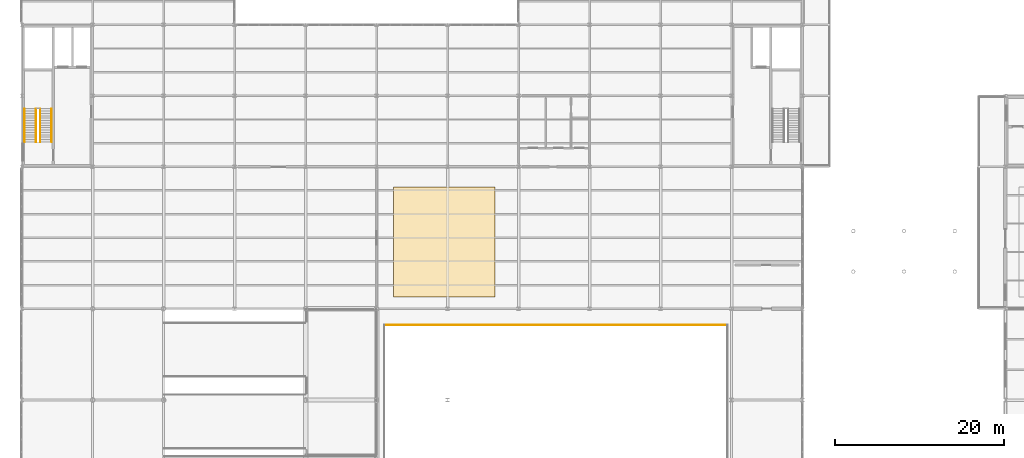
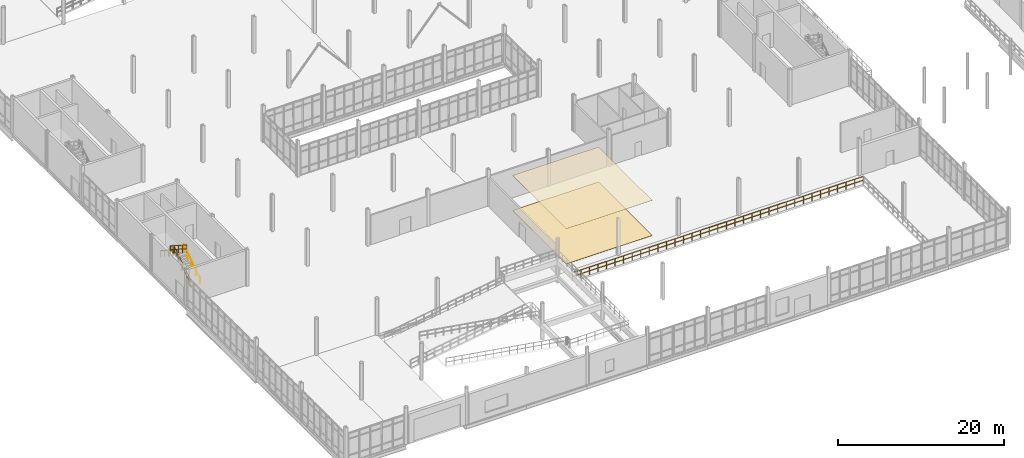
# One storey, part 105 of 111: 5 railings, 2 coverings.
"""IFC4 building model written with IfcOpenShell, lengths in metres."""

from ifc_helpers import new_model, si_unit, direction, frame, origin, origin_2d, place, context, subcontext, project, spatial, rectangle, circle, extrude, material, layer, layer_set, type_object, element, save


model = new_model("IFC4")

# Units and contexts
model_context = context("Model", 3, precision=1e-05, world=origin(), true_north=direction((0.0, 1.0)))
body_context = subcontext(model_context, "Body", "Model", "MODEL_VIEW")
ifc_project = project(units=[si_unit("LENGTHUNIT", "METRE"), si_unit("AREAUNIT", "SQUARE_METRE"), si_unit("VOLUMEUNIT", "CUBIC_METRE"), si_unit("PLANEANGLEUNIT", "RADIAN"), si_unit("MASSUNIT", "GRAM", prefix="KILO"), si_unit("THERMODYNAMICTEMPERATUREUNIT", "KELVIN"), si_unit("POWERUNIT", "WATT")], contexts=[model_context])

# Site, building, storey
site_placement = place(None, origin())
site = spatial("IfcSite", under=ifc_project, at=site_placement, CompositionType="ELEMENT")
building_placement = place(site_placement, origin())
building = spatial("IfcBuilding", under=site, at=building_placement, Name="Tembeka Court Mobility Hub", CompositionType="ELEMENT")
storey_placement = place(building_placement, origin())
storey = spatial("IfcBuildingStorey", under=building, at=storey_placement, Name="L00", CompositionType="ELEMENT", Elevation=0.0)

# Coverings
ifc_material_1 = material(Name="Perforated acoustic mineral-fibre ceiling tile", Category="masonry")
ifc_layer_1 = layer(ifc_material_1, 0.02490234375)
ifc_layer_set_1 = layer_set([ifc_layer_1], Name="Perforated acoustic mineral-fibre ceiling tile")
covering_type_1 = type_object("IfcCoveringType", Name="COV-CL01", PredefinedType="CEILING", material=ifc_layer_set_1)
covering_1_placement = place(storey_placement, frame((50.0, 29.5, 5.15966796875), z_axis=(0.0, 0.0, 1.0), x_axis=(1.0, 0.0, 0.0)))
element("IfcCovering", 1, at=covering_1_placement, inside=storey, type_object=covering_type_1, Name="Acoustic ceiling panel CVC1-02", PredefinedType="CEILING", context=body_context, shape_type="SweptSolid", body=[
    extrude(rectangle(XDim=12.0, YDim=13.0, at=origin_2d()), origin(), (0.0, 0.0, 1.0), 0.02490234375),
])
ifc_material_2 = material(Name="Honed Nairobi granite concourse flooring", Category="masonry")
ifc_layer_2 = layer(ifc_material_2, 0.02001953125)
ifc_layer_set_2 = layer_set([ifc_layer_2], Name="Honed Nairobi granite concourse flooring")
covering_type_2 = type_object("IfcCoveringType", Name="COV-FL01", PredefinedType="FLOORING", material=ifc_layer_set_2)
covering_2_placement = place(storey_placement, frame((50.0, 29.5, -0.001953125), z_axis=(0.0, 0.0, 1.0), x_axis=(1.0, 0.0, 0.0)))
element("IfcCovering", 2, at=covering_2_placement, inside=storey, type_object=covering_type_2, Name="Honed granite floor finish CVF1-02", PredefinedType="FLOORING", context=body_context, shape_type="SweptSolid", body=[
    extrude(rectangle(XDim=12.0, YDim=13.0, at=origin_2d()), origin(), (0.0, 0.0, 1.0), 0.02001953125),
])

# Railings
ifc_material_3 = material(Name="Painted galvanised steel balustrade", Category="steel")
railing_type_1 = type_object("IfcRailingType", Name="RL-GR01", PredefinedType="GUARDRAIL", material=ifc_material_3)
railing_1_placement = place(storey_placement, frame((2.199951171875, 41.35009765625, 0.179931640625)))
element("IfcRailing", 3, at=railing_1_placement, inside=storey, type_object=railing_type_1, Name="L00 ST01 stair guard 1-1", PredefinedType="GUARDRAIL", context=body_context, shape_type="SweptSolid", body=[
    extrude(circle(Radius=0.02392578125, at=origin_2d()), frame((0.0, 0.0, 1.09619140625), z_axis=(0.0, 0.841171666519, 0.540768182723), x_axis=(-1.0, 0.0, 0.0)), (0.0, 0.0, 1.0), 4.66015625),
    extrude(circle(Radius=0.02392578125, at=origin_2d()), frame((0.0, 0.0, 0.5361328125), z_axis=(0.0, 0.841171666519, 0.540768182723), x_axis=(-1.0, 0.0, 0.0)), (0.0, 0.0, 1.0), 4.66015625),
    extrude(circle(Radius=0.02099609375, at=origin_2d()), origin(), (0.0, 0.0, 1.0), 1.072021484375),
    extrude(circle(Radius=0.02099609375, at=origin_2d()), frame((0.0, 0.97998046875, 0.6298828125)), (0.0, 0.0, 1.0), 1.072021484375),
    extrude(circle(Radius=0.02099609375, at=origin_2d()), frame((0.0, 1.9599609375, 1.260009765625)), (0.0, 0.0, 1.0), 1.072021484375),
    extrude(circle(Radius=0.02099609375, at=origin_2d()), frame((0.0, 2.93994140625, 1.89013671875)), (0.0, 0.0, 1.0), 1.072021484375),
    extrude(circle(Radius=0.02099609375, at=origin_2d()), frame((0.0, 3.919921875, 2.52001953125)), (0.0, 0.0, 1.0), 1.072021484375),
])
railing_2_placement = place(storey_placement, frame((1.699951171875, 45.27001953125, 2.8798828125)))
element("IfcRailing", 4, at=railing_2_placement, inside=storey, type_object=railing_type_1, Name="L00 ST01 stair guard 3-1", PredefinedType="GUARDRAIL", context=body_context, shape_type="SweptSolid", body=[
    extrude(circle(Radius=0.02392578125, at=origin_2d()), frame((0.0, 0.0, 1.09619140625), z_axis=(0.0, -0.841171666519, 0.540768182723), x_axis=(1.0, 0.0, 0.0)), (0.0, 0.0, 1.0), 4.66015625),
    extrude(circle(Radius=0.02392578125, at=origin_2d()), frame((0.0, 0.0, 0.5361328125), z_axis=(0.0, -0.841171666519, 0.540768182723), x_axis=(1.0, 0.0, 0.0)), (0.0, 0.0, 1.0), 4.66015625),
    extrude(circle(Radius=0.02099609375, at=origin_2d()), origin(), (0.0, 0.0, 1.0), 1.072021484375),
    extrude(circle(Radius=0.02099609375, at=origin_2d()), frame((0.0, -0.97998046875, 0.6298828125)), (0.0, 0.0, 1.0), 1.072021484375),
    extrude(circle(Radius=0.02099609375, at=origin_2d()), frame((0.0, -1.9599609375, 1.260009765625)), (0.0, 0.0, 1.0), 1.072021484375),
    extrude(circle(Radius=0.02099609375, at=origin_2d()), frame((0.0, -2.93994140625, 1.89013671875)), (0.0, 0.0, 1.0), 1.072021484375),
    extrude(circle(Radius=0.02099609375, at=origin_2d()), frame((0.0, -3.919921875, 2.52001953125)), (0.0, 0.0, 1.0), 1.072021484375),
])
railing_type_2 = type_object("IfcRailingType", Name="RL-GR02", PredefinedType="GUARDRAIL", material=ifc_material_3)
railing_3_placement = place(storey_placement, frame((83.469970703125, 19.699951171875, 0.0)))
element("IfcRailing", 5, at=railing_3_placement, inside=storey, type_object=railing_type_2, Name="Perimeter guard GR02-0011", PredefinedType="GUARDRAIL", context=body_context, shape_type="SweptSolid", body=[
    extrude(circle(Radius=0.02392578125, at=origin_2d()), frame((0.0, 0.0, 1.09619140625), z_axis=(-1.0, 0.0, 0.0), x_axis=(0.0, -1.0, 0.0)), (0.0, 0.0, 1.0), 40.5400390625),
    extrude(circle(Radius=0.02392578125, at=origin_2d()), frame((0.0, 0.0, 0.5361328125), z_axis=(-1.0, 0.0, 0.0), x_axis=(0.0, -1.0, 0.0)), (0.0, 0.0, 1.0), 40.5400390625),
    extrude(circle(Radius=0.02099609375, at=origin_2d()), origin(), (0.0, 0.0, 1.0), 1.072021484375),
    extrude(circle(Radius=0.02099609375, at=origin_2d()), frame((-1.1923828125, 0.0, 0.0)), (0.0, 0.0, 1.0), 1.072021484375),
    extrude(circle(Radius=0.02099609375, at=origin_2d()), frame((-2.384765625, 0.0, 0.0)), (0.0, 0.0, 1.0), 1.072021484375),
    extrude(circle(Radius=0.02099609375, at=origin_2d()), frame((-3.5771484375, 0.0, 0.0)), (0.0, 0.0, 1.0), 1.072021484375),
    extrude(circle(Radius=0.02099609375, at=origin_2d()), frame((-4.76953125, 0.0, 0.0)), (0.0, 0.0, 1.0), 1.072021484375),
    extrude(circle(Radius=0.02099609375, at=origin_2d()), frame((-5.961669921875, 0.0, 0.0)), (0.0, 0.0, 1.0), 1.072021484375),
    extrude(circle(Radius=0.02099609375, at=origin_2d()), frame((-7.154052734375, 0.0, 0.0)), (0.0, 0.0, 1.0), 1.072021484375),
    extrude(circle(Radius=0.02099609375, at=origin_2d()), frame((-8.346435546875, 0.0, 0.0)), (0.0, 0.0, 1.0), 1.072021484375),
    extrude(circle(Radius=0.02099609375, at=origin_2d()), frame((-9.538818359375, 0.0, 0.0)), (0.0, 0.0, 1.0), 1.072021484375),
    extrude(circle(Radius=0.02099609375, at=origin_2d()), frame((-10.731201171875, 0.0, 0.0)), (0.0, 0.0, 1.0), 1.072021484375),
    extrude(circle(Radius=0.02099609375, at=origin_2d()), frame((-11.923583984375, 0.0, 0.0)), (0.0, 0.0, 1.0), 1.072021484375),
    extrude(circle(Radius=0.02099609375, at=origin_2d()), frame((-13.115966796875, 0.0, 0.0)), (0.0, 0.0, 1.0), 1.072021484375),
    extrude(circle(Radius=0.02099609375, at=origin_2d()), frame((-14.308349609375, 0.0, 0.0)), (0.0, 0.0, 1.0), 1.072021484375),
    extrude(circle(Radius=0.02099609375, at=origin_2d()), frame((-15.50048828125, 0.0, 0.0)), (0.0, 0.0, 1.0), 1.072021484375),
    extrude(circle(Radius=0.02099609375, at=origin_2d()), frame((-16.69287109375, 0.0, 0.0)), (0.0, 0.0, 1.0), 1.072021484375),
    extrude(circle(Radius=0.02099609375, at=origin_2d()), frame((-17.88525390625, 0.0, 0.0)), (0.0, 0.0, 1.0), 1.072021484375),
    extrude(circle(Radius=0.02099609375, at=origin_2d()), frame((-19.07763671875, 0.0, 0.0)), (0.0, 0.0, 1.0), 1.072021484375),
    extrude(circle(Radius=0.02099609375, at=origin_2d()), frame((-20.27001953125, 0.0, 0.0)), (0.0, 0.0, 1.0), 1.072021484375),
    extrude(circle(Radius=0.02099609375, at=origin_2d()), frame((-21.46240234375, 0.0, 0.0)), (0.0, 0.0, 1.0), 1.072021484375),
    extrude(circle(Radius=0.02099609375, at=origin_2d()), frame((-22.65478515625, 0.0, 0.0)), (0.0, 0.0, 1.0), 1.072021484375),
    extrude(circle(Radius=0.02099609375, at=origin_2d()), frame((-23.84716796875, 0.0, 0.0)), (0.0, 0.0, 1.0), 1.072021484375),
    extrude(circle(Radius=0.02099609375, at=origin_2d()), frame((-25.03955078125, 0.0, 0.0)), (0.0, 0.0, 1.0), 1.072021484375),
    extrude(circle(Radius=0.02099609375, at=origin_2d()), frame((-26.231689453125, 0.0, 0.0)), (0.0, 0.0, 1.0), 1.072021484375),
    extrude(circle(Radius=0.02099609375, at=origin_2d()), frame((-27.424072265625, 0.0, 0.0)), (0.0, 0.0, 1.0), 1.072021484375),
    extrude(circle(Radius=0.02099609375, at=origin_2d()), frame((-28.616455078125, 0.0, 0.0)), (0.0, 0.0, 1.0), 1.072021484375),
    extrude(circle(Radius=0.02099609375, at=origin_2d()), frame((-29.808837890625, 0.0, 0.0)), (0.0, 0.0, 1.0), 1.072021484375),
    extrude(circle(Radius=0.02099609375, at=origin_2d()), frame((-31.001220703125, 0.0, 0.0)), (0.0, 0.0, 1.0), 1.072021484375),
    extrude(circle(Radius=0.02099609375, at=origin_2d()), frame((-32.193603515625, 0.0, 0.0)), (0.0, 0.0, 1.0), 1.072021484375),
    extrude(circle(Radius=0.02099609375, at=origin_2d()), frame((-33.385986328125, 0.0, 0.0)), (0.0, 0.0, 1.0), 1.072021484375),
    extrude(circle(Radius=0.02099609375, at=origin_2d()), frame((-34.578369140625, 0.0, 0.0)), (0.0, 0.0, 1.0), 1.072021484375),
    extrude(circle(Radius=0.02099609375, at=origin_2d()), frame((-35.7705078125, 0.0, 0.0)), (0.0, 0.0, 1.0), 1.072021484375),
    extrude(circle(Radius=0.02099609375, at=origin_2d()), frame((-36.962890625, 0.0, 0.0)), (0.0, 0.0, 1.0), 1.072021484375),
    extrude(circle(Radius=0.02099609375, at=origin_2d()), frame((-38.1552734375, 0.0, 0.0)), (0.0, 0.0, 1.0), 1.072021484375),
    extrude(circle(Radius=0.02099609375, at=origin_2d()), frame((-39.34765625, 0.0, 0.0)), (0.0, 0.0, 1.0), 1.072021484375),
    extrude(circle(Radius=0.02099609375, at=origin_2d()), frame((-40.5400390625, 0.0, 0.0)), (0.0, 0.0, 1.0), 1.072021484375),
])
ifc_material_4 = material(Name="Brushed stainless steel handrail", Category="steel")
railing_type_3 = type_object("IfcRailingType", Name="RL-HR01", PredefinedType="HANDRAIL", material=ifc_material_4)
railing_4_placement = place(storey_placement, frame((3.550048828125, 41.35009765625, 0.179931640625)))
element("IfcRailing", 6, at=railing_4_placement, inside=storey, type_object=railing_type_3, Name="L00 ST01 handrail 1-1", PredefinedType="HANDRAIL", context=body_context, shape_type="SweptSolid", body=[
    extrude(circle(Radius=0.02392578125, at=origin_2d()), frame((0.0, 0.0, 0.89599609375), z_axis=(0.0, 0.841171666519, 0.540768182723), x_axis=(-1.0, 0.0, 0.0)), (0.0, 0.0, 1.0), 4.66015625),
    extrude(circle(Radius=0.02099609375, at=origin_2d()), origin(), (0.0, 0.0, 1.0), 0.871826171875),
    extrude(circle(Radius=0.02099609375, at=origin_2d()), frame((0.0, 0.97998046875, 0.6298828125)), (0.0, 0.0, 1.0), 0.871826171875),
    extrude(circle(Radius=0.02099609375, at=origin_2d()), frame((0.0, 1.9599609375, 1.260009765625)), (0.0, 0.0, 1.0), 0.871826171875),
    extrude(circle(Radius=0.02099609375, at=origin_2d()), frame((0.0, 2.93994140625, 1.89013671875)), (0.0, 0.0, 1.0), 0.871826171875),
    extrude(circle(Radius=0.02099609375, at=origin_2d()), frame((0.0, 3.919921875, 2.52001953125)), (0.0, 0.0, 1.0), 0.871826171875),
])
railing_5_placement = place(storey_placement, frame((0.35009765625, 45.27001953125, 2.8798828125)))
element("IfcRailing", 7, at=railing_5_placement, inside=storey, type_object=railing_type_3, Name="L00 ST01 handrail 2-1", PredefinedType="HANDRAIL", context=body_context, shape_type="SweptSolid", body=[
    extrude(circle(Radius=0.02392578125, at=origin_2d()), frame((0.0, 0.0, 0.89599609375), z_axis=(0.0, -0.841171666519, 0.540768182723), x_axis=(1.0, 0.0, 0.0)), (0.0, 0.0, 1.0), 4.66015625),
    extrude(circle(Radius=0.02099609375, at=origin_2d()), origin(), (0.0, 0.0, 1.0), 0.871826171875),
    extrude(circle(Radius=0.02099609375, at=origin_2d()), frame((0.0, -0.97998046875, 0.6298828125)), (0.0, 0.0, 1.0), 0.871826171875),
    extrude(circle(Radius=0.02099609375, at=origin_2d()), frame((0.0, -1.9599609375, 1.260009765625)), (0.0, 0.0, 1.0), 0.871826171875),
    extrude(circle(Radius=0.02099609375, at=origin_2d()), frame((0.0, -2.93994140625, 1.89013671875)), (0.0, 0.0, 1.0), 0.871826171875),
    extrude(circle(Radius=0.02099609375, at=origin_2d()), frame((0.0, -3.919921875, 2.52001953125)), (0.0, 0.0, 1.0), 0.871826171875),
])

save(model, "model.ifc")
